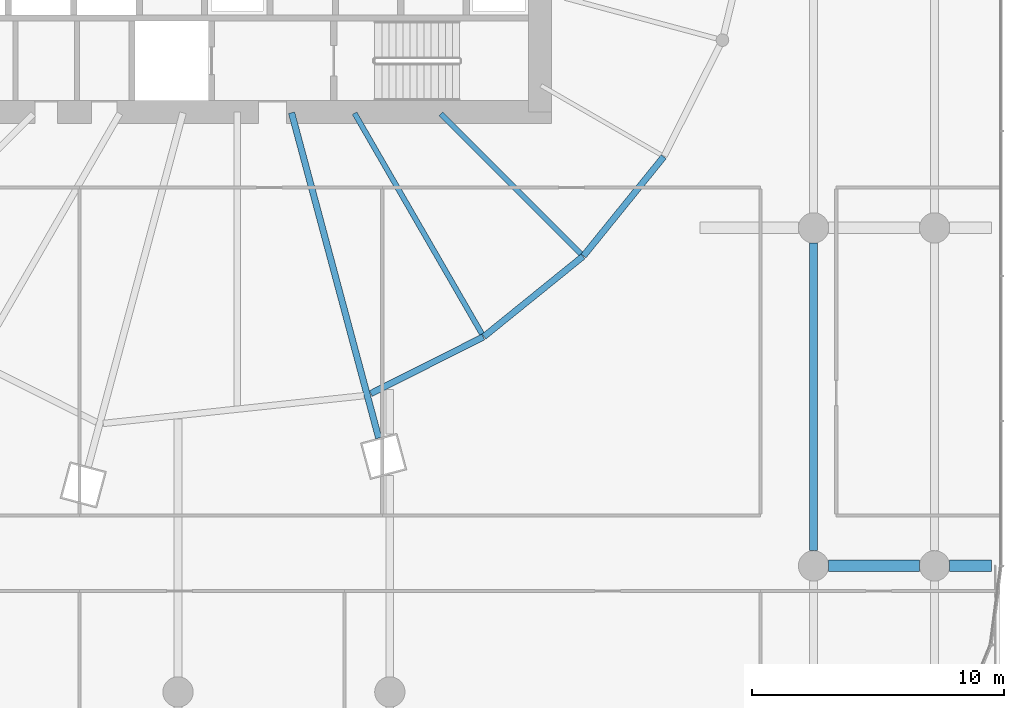
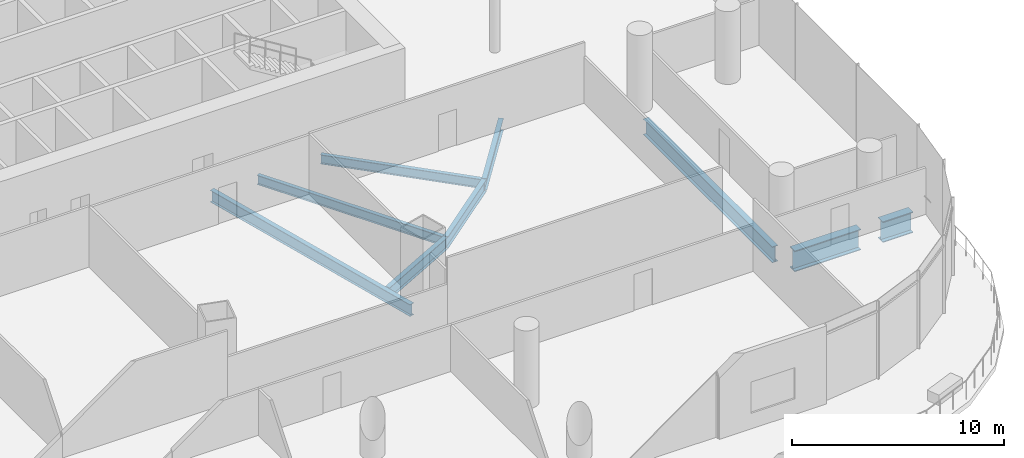
# One storey, part 13 of 43: 9 beams.
"""IFC4 building model written with IfcOpenShell, lengths in metres."""

from ifc_helpers import new_model, si_unit, direction, frame, origin, origin_2d, place, context, subcontext, project, spatial, i_section, extrude, material, material_profile, profile_set, type_object, element, save


model = new_model("IFC4")

# Units and contexts
model_context = context("Model", 3, precision=1e-05, world=origin(), true_north=direction((0.0, 1.0)))
body_context = subcontext(model_context, "Body", "Model", "MODEL_VIEW")
ifc_project = project(units=[si_unit("LENGTHUNIT", "METRE"), si_unit("AREAUNIT", "SQUARE_METRE"), si_unit("VOLUMEUNIT", "CUBIC_METRE"), si_unit("PLANEANGLEUNIT", "RADIAN"), si_unit("MASSUNIT", "GRAM", prefix="KILO")], contexts=[model_context])

# Site, building, storey
site_placement = place(None, origin())
site = spatial("IfcSite", under=ifc_project, at=site_placement, CompositionType="ELEMENT")
building_placement = place(site_placement, origin())
building = spatial("IfcBuilding", under=site, at=building_placement, Name="Rimbun Link Towers", CompositionType="ELEMENT")
storey_placement = place(building_placement, frame((0.0, 0.0, 12.0)))
storey = spatial("IfcBuildingStorey", under=building, at=storey_placement, Name="L02", CompositionType="ELEMENT", Elevation=12.0)

# Beams
ifc_material_1 = material(Name="Steel S355J2", Category="steel")
ifc_material_profile_1 = material_profile(ifc_material_1, i_section(OverallWidth=0.449951171875, OverallDepth=1.199951171875, WebThickness=0.030029296875, FlangeThickness=0.044921875, at=origin_2d()), Name="PG 1200x450x30/45")
ifc_profile_set_1 = profile_set([ifc_material_profile_1], Name="Steel S355J2")
beam_type_1 = type_object("IfcBeamType", Name="PG 1200x450x30/45", PredefinedType="BEAM", material=ifc_profile_set_1)
beam_1_placement = place(storey_placement, frame((55.199951171875, -26.0, -0.89990234375), z_axis=(1.0, 0.0, 0.0), x_axis=(0.0, 1.0, 0.0)))
element("IfcBeam", 1, at=beam_1_placement, inside=storey, type_object=beam_type_1, Name="Grid beam L02 -26.0", PredefinedType="BEAM", context=body_context, shape_type="SweptSolid", body=[
    extrude(i_section(OverallWidth=0.449951171875, OverallDepth=1.199951171875, WebThickness=0.030029296875, FlangeThickness=0.044921875, at=origin_2d()), origin(), (0.0, 0.0, 1.0), 3.60009765625),
])
beam_2_placement = place(storey_placement, frame((60.0, -26.0, -0.89990234375), z_axis=(1.0, 0.0, 0.0), x_axis=(0.0, 1.0, 0.0)))
element("IfcBeam", 2, at=beam_2_placement, inside=storey, type_object=beam_type_1, Name="Grid beam L02 -26.0", PredefinedType="BEAM", context=body_context, shape_type="SweptSolid", body=[
    extrude(i_section(OverallWidth=0.449951171875, OverallDepth=1.199951171875, WebThickness=0.030029296875, FlangeThickness=0.044921875, at=origin_2d()), origin(), (0.0, 0.0, 1.0), 1.649169921875),
])
ifc_material_2 = material(Name="Steel S355J2", Category="steel")
ifc_material_profile_2 = material_profile(ifc_material_2, i_section(OverallWidth=0.209228515625, OverallDepth=0.533203125, WebThickness=0.010009765625, FlangeThickness=0.015625, at=origin_2d()), Name="UB 533x210x92")
ifc_profile_set_2 = profile_set([ifc_material_profile_2], Name="Steel S355J2")
beam_type_2 = type_object("IfcBeamType", Name="UB 533x210x92", PredefinedType="BEAM", material=ifc_profile_set_2)
beam_3_placement = place(storey_placement, frame((36.3994140625, -8.05322265625, -0.566650390625), z_axis=(0.500024888386, -0.866011033991, 0.0), x_axis=(0.866011033991, 0.500024888386, 0.0)))
element("IfcBeam", 3, at=beam_3_placement, inside=storey, type_object=beam_type_2, Name="Radial beam T2 L02 17", PredefinedType="BEAM", context=body_context, shape_type="SweptSolid", body=[
    extrude(i_section(OverallWidth=0.209228515625, OverallDepth=0.533203125, WebThickness=0.010009765625, FlangeThickness=0.015625, at=origin_2d()), origin(), (0.0, 0.0, 1.0), 10.10888671875),
])
beam_4_placement = place(storey_placement, frame((39.82470703125, -8.07470703125, -0.566650390625), z_axis=(0.707106781187, -0.707106781187, 0.0), x_axis=(0.707106781187, 0.707106781187, 0.0)))
element("IfcBeam", 4, at=beam_4_placement, inside=storey, type_object=beam_type_2, Name="Radial beam T2 L02 18", PredefinedType="BEAM", context=body_context, shape_type="SweptSolid", body=[
    extrude(i_section(OverallWidth=0.209228515625, OverallDepth=0.533203125, WebThickness=0.010009765625, FlangeThickness=0.015625, at=origin_2d()), origin(), (0.0, 0.0, 1.0), 7.85546875),
])
ifc_material_3 = material(Name="Steel S355J2", Category="steel")
ifc_material_profile_3 = material_profile(ifc_material_3, i_section(OverallWidth=0.253662109375, OverallDepth=0.68359375, WebThickness=0.012451171875, FlangeThickness=0.01904296875, at=origin_2d()), Name="UB 686x254x140")
ifc_profile_set_3 = profile_set([ifc_material_profile_3], Name="Steel S355J2")
beam_type_3 = type_object("IfcBeamType", Name="UB 686x254x140", PredefinedType="BEAM", material=ifc_profile_set_3)
beam_5_placement = place(storey_placement, frame((33.902587890625, -8.03369140625, -0.641845703125), z_axis=(0.258816190288, -0.96592659123, 0.0), x_axis=(0.96592659123, 0.258816190288, 0.0)))
element("IfcBeam", 5, at=beam_5_placement, inside=storey, type_object=beam_type_3, Name="Radial beam T2 L02 16", PredefinedType="BEAM", context=body_context, shape_type="SweptSolid", body=[
    extrude(i_section(OverallWidth=0.253662109375, OverallDepth=0.68359375, WebThickness=0.012451171875, FlangeThickness=0.01904296875, at=origin_2d()), origin(), (0.0, 0.0, 1.0), 13.355224609375),
])
beam_6_placement = place(storey_placement, frame((37.044921875, -19.167724609375, -0.641845703125), z_axis=(0.893427268905, 0.44920787524, 0.0), x_axis=(-0.44920787524, 0.893427268905, 0.0)))
element("IfcBeam", 6, at=beam_6_placement, inside=storey, type_object=beam_type_3, Name="Edge beam T2 L02 16", PredefinedType="BEAM", context=body_context, shape_type="SweptSolid", body=[
    extrude(i_section(OverallWidth=0.253662109375, OverallDepth=0.68359375, WebThickness=0.012451171875, FlangeThickness=0.01904296875, at=origin_2d()), origin(), (0.0, 0.0, 1.0), 4.991943359375),
])
for number, where, z_axis, x_axis, name in (
    (7, (41.529296875, -16.909423828125, -0.641845703125), (0.777298851758, 0.629131540345, 0.0), (-0.629131540345, 0.777298851758, 0.0), "Edge beam T2 L02 17"),
    (8, (45.47900390625, -13.708740234375, -0.641845703125), (0.629131540345, 0.777298851758, 0.0), (-0.777298851758, 0.629131540345, 0.0), "Edge beam T2 L02 18"),
):
    element("IfcBeam", number, at=place(storey_placement, frame(where, z_axis=z_axis, x_axis=x_axis)), inside=storey, type_object=beam_type_3, Name=name, PredefinedType="BEAM", context=body_context, shape_type="SweptSolid", body=[
        extrude(i_section(OverallWidth=0.253662109375, OverallDepth=0.68359375, WebThickness=0.012451171875, FlangeThickness=0.01904296875, at=origin_2d()), origin(), (0.0, 0.0, 1.0), 5.05517578125),
    ])
ifc_material_4 = material(Name="Steel S355J2", Category="steel")
ifc_material_profile_4 = material_profile(ifc_material_4, i_section(OverallWidth=0.305419921875, OverallDepth=0.91845703125, WebThickness=0.017333984375, FlangeThickness=0.02783203125, at=origin_2d()), Name="UB 914x305x253")
ifc_profile_set_4 = profile_set([ifc_material_profile_4], Name="Steel S355J2")
beam_type_4 = type_object("IfcBeamType", Name="UB 914x305x253", PredefinedType="BEAM", material=ifc_profile_set_4)
beam_7_placement = place(storey_placement, frame((54.60009765625, -25.39990234375, -0.75927734375), z_axis=(0.0, 1.0, 0.0), x_axis=(-1.0, 0.0, 0.0)))
element("IfcBeam", 9, at=beam_7_placement, inside=storey, type_object=beam_type_4, Name="Grid beam L02 +54.6", PredefinedType="BEAM", context=body_context, shape_type="SweptSolid", body=[
    extrude(i_section(OverallWidth=0.305419921875, OverallDepth=0.91845703125, WebThickness=0.017333984375, FlangeThickness=0.02783203125, at=origin_2d()), origin(), (0.0, 0.0, 1.0), 12.199951171875),
])

save(model, "model.ifc")
